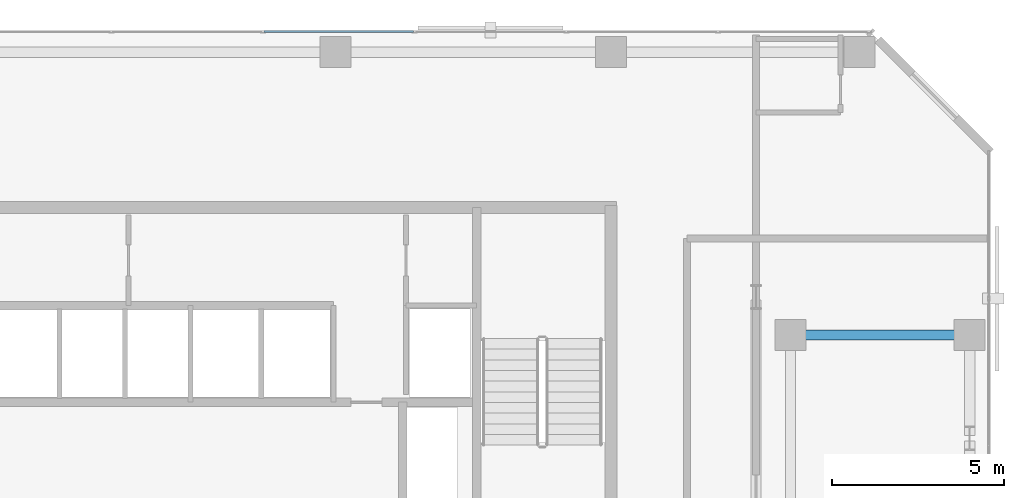
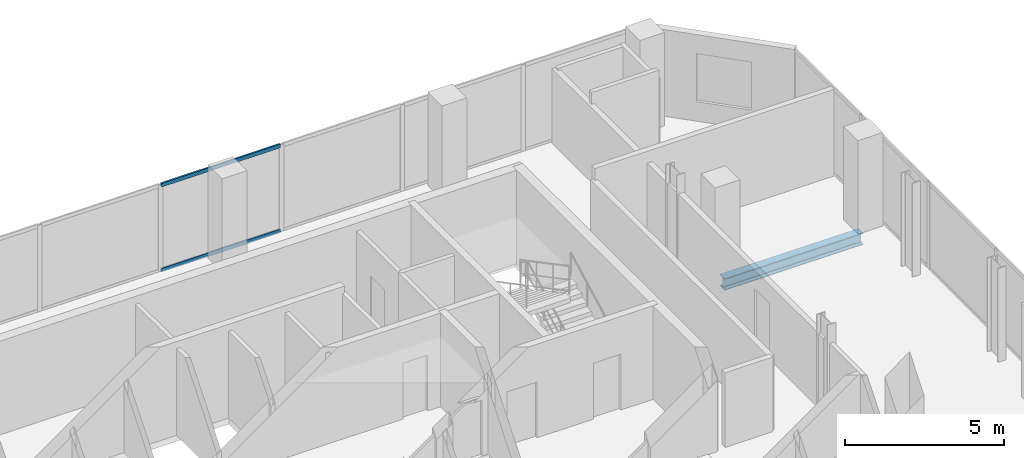
# One storey, part 23 of 34: 2 members, 1 beam, 1 element without a shape of its own.
"""IFC4 building model written with IfcOpenShell, lengths in metres."""

from ifc_helpers import new_model, si_unit, direction, frame, origin, origin_2d, place, context, subcontext, project, spatial, hollow_rectangle, i_section, extrude, material, layer, layer_set, material_profile, profile_set, type_object, element, aggregate, save


model = new_model("IFC4")

# Units and contexts
model_context = context("Model", 3, precision=1e-05, world=origin(), true_north=direction((0.0, 1.0)))
body_context = subcontext(model_context, "Body", "Model", "MODEL_VIEW")
ifc_project = project(units=[si_unit("LENGTHUNIT", "METRE"), si_unit("AREAUNIT", "SQUARE_METRE"), si_unit("VOLUMEUNIT", "CUBIC_METRE"), si_unit("PLANEANGLEUNIT", "RADIAN"), si_unit("MASSUNIT", "GRAM", prefix="KILO")], contexts=[model_context])

# Site, building, storey
site_placement = place(None, origin())
site = spatial("IfcSite", under=ifc_project, at=site_placement, CompositionType="ELEMENT")
building_placement = place(site_placement, origin())
building = spatial("IfcBuilding", under=site, at=building_placement, Name="Catumbela Crestline Tower", CompositionType="ELEMENT")
storey_placement = place(building_placement, frame((0.0, 0.0, 115.2)))
storey = spatial("IfcBuildingStorey", under=building, at=storey_placement, Name="L29", CompositionType="ELEMENT", Elevation=115.2)

# Beam
ifc_material_1 = material(Name="Structural steel S355J2", Category="steel")
ifc_material_profile_1 = material_profile(ifc_material_1, i_section(OverallWidth=0.3, OverallDepth=0.45, WebThickness=0.014, FlangeThickness=0.026, FilletRadius=0.027, at=origin_2d()), Name="HEB 450")
ifc_profile_set_1 = profile_set([ifc_material_profile_1], Name="Structural steel S355J2")
beam_type = type_object("IfcBeamType", Name="BG-HEB450", PredefinedType="BEAM", material=ifc_profile_set_1)
beam_placement = place(storey_placement, frame((45.28, 39.2, -0.485), z_axis=(1.0, 0.0, 0.0), x_axis=(0.0, 1.0, 0.0)))
element("IfcBeam", 1, at=beam_placement, inside=storey, type_object=beam_type, Name="L29 Beam BM-L29-N16", PredefinedType="BEAM", context=body_context, shape_type="SweptSolid", body=[
    extrude(i_section(OverallWidth=0.3, OverallDepth=0.45, WebThickness=0.014, FlangeThickness=0.026, FilletRadius=0.027, at=origin_2d()), origin(), (0.0, 0.0, 1.0), 5.04),
])

# Curtain wall, members
ifc_material_2 = material(Name="Aluminium alloy AW-6060-T66", Category="aluminium")
ifc_layer = layer(ifc_material_2, 0.18, Name="Aluminium alloy AW-6060-T66")
ifc_layer_set = layer_set([ifc_layer], Name="Aluminium alloy AW-6060-T66")
curtain_wall_type = type_object("IfcCurtainWallType", Name="CWU-Z2", PredefinedType="USERDEFINED", material=ifc_layer_set)
curtain_wall_placement = place(storey_placement, origin())
curtain_wall = element("IfcCurtainWall", 2, at=curtain_wall_placement, inside=storey, type_object=curtain_wall_type, Name="L29 Unitised Curtain Wall CW-L29-E7S1", ObjectType="UNITISED", PredefinedType="USERDEFINED")
ifc_material_profile_2 = material_profile(ifc_material_2, hollow_rectangle(XDim=0.06, YDim=0.14, WallThickness=0.004, at=origin_2d()), Name="ALU 140x60x4")
ifc_profile_set_2 = profile_set([ifc_material_profile_2], Name="Aluminium alloy AW-6060-T66")
member_type = type_object("IfcMemberType", Name="TRN-140X60", PredefinedType="USERDEFINED", material=ifc_profile_set_2)
member_1_placement = place(storey_placement, frame((34.2675, 48.0, 0.03), z_axis=(-1.0, 0.0, 0.0), x_axis=(0.0, -1.0, 0.0)))
member_1 = element("IfcMember", 3, at=member_1_placement, type_object=member_type, Name="CWU-Z2 transom 4.1", ObjectType="TRANSOM", PredefinedType="USERDEFINED", context=body_context, shape_type="SweptSolid", body=[
    extrude(hollow_rectangle(XDim=0.06, YDim=0.14, WallThickness=0.004, at=origin_2d()), origin(), (0.0, 0.0, 1.0), 4.335),
])
member_2_placement = place(storey_placement, frame((34.2675, 48.0, 3.3), z_axis=(-1.0, 0.0, 0.0), x_axis=(0.0, -1.0, 0.0)))
member_2 = element("IfcMember", 4, at=member_2_placement, type_object=member_type, Name="CWU-Z2 transom 4.2", ObjectType="TRANSOM", PredefinedType="USERDEFINED", context=body_context, shape_type="SweptSolid", body=[
    extrude(hollow_rectangle(XDim=0.06, YDim=0.14, WallThickness=0.004, at=origin_2d()), origin(), (0.0, 0.0, 1.0), 4.335),
])
aggregate(curtain_wall, [member_1, member_2])

save(model, "model.ifc")
